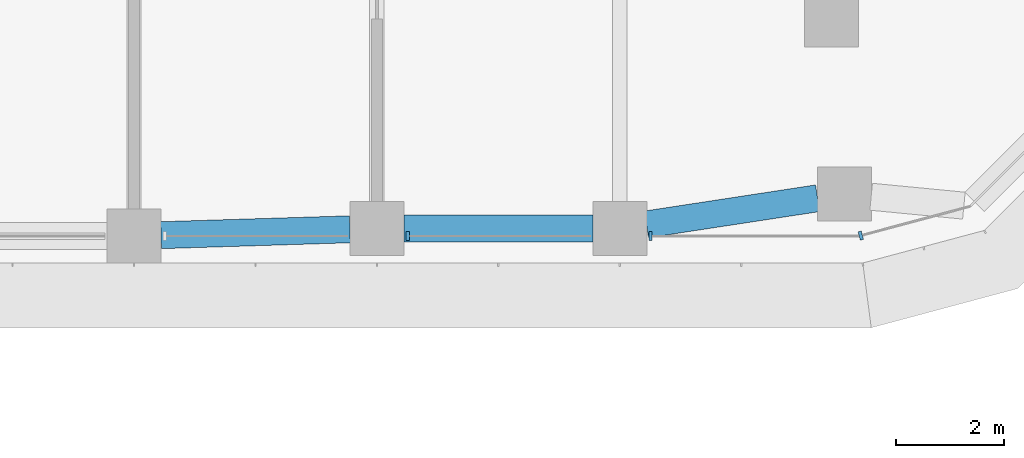
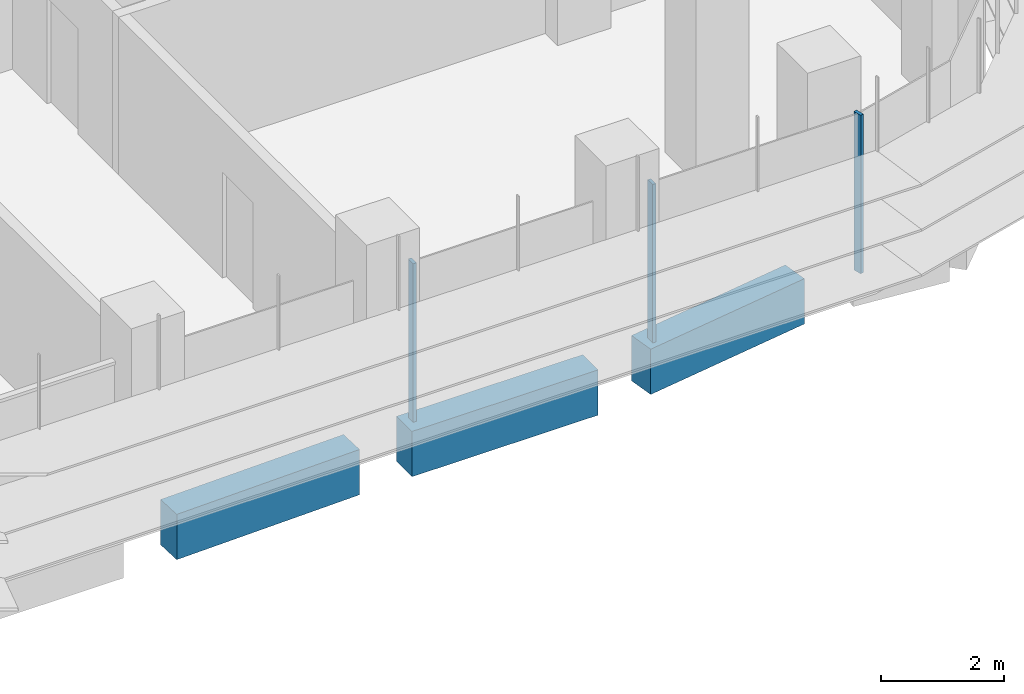
# One storey, part 5 of 23: 3 beams, 3 members, 2 elements without a shape of their own.
"""IFC4 building model written with IfcOpenShell, lengths in metres."""

from ifc_helpers import new_model, si_unit, direction, frame, origin, origin_2d, place, context, subcontext, project, spatial, polyline, rectangle, outline, extrude, source, transform, mapped, material, material_profile, profile_set, type_object, element, aggregate, save


model = new_model("IFC4")

# Units and contexts
model_context = context("Model", 3, precision=1e-05, world=origin(), true_north=direction((0.0, 1.0)))
body_context = subcontext(model_context, "Body", "Model", "MODEL_VIEW")
ifc_project = project(units=[si_unit("LENGTHUNIT", "METRE"), si_unit("AREAUNIT", "SQUARE_METRE"), si_unit("VOLUMEUNIT", "CUBIC_METRE"), si_unit("PLANEANGLEUNIT", "RADIAN"), si_unit("MASSUNIT", "GRAM", prefix="KILO")], contexts=[model_context])

# Site, building, storey
site_placement = place(None, origin())
site = spatial("IfcSite", under=ifc_project, at=site_placement, CompositionType="ELEMENT")
building_placement = place(site_placement, origin())
building = spatial("IfcBuilding", under=site, at=building_placement, Name="Zarbagh Exchange Tower", CompositionType="ELEMENT")
storey_placement = place(building_placement, frame((0.0, 0.0, 43.800048828125)))
storey = spatial("IfcBuildingStorey", under=building, at=storey_placement, Name="L09", CompositionType="ELEMENT", Elevation=43.800048828125)

# Beams
ifc_material_1 = material(Name="Concrete C60/75", Category="concrete")
ifc_material_profile = material_profile(ifc_material_1, rectangle(XDim=0.5, YDim=0.89990234375, at=origin_2d()), Name="RC spandrel beam 500 x 900 C60/75")
ifc_profile_set = profile_set([ifc_material_profile], Name="Concrete C60/75")
beam_type = type_object("IfcBeamType", Name="RC spandrel beam 500 x 900 C60/75", PredefinedType="SPANDREL", material=ifc_profile_set)
beam_1_placement = place(storey_placement, frame((28.413818359375, -5.550537109375, -0.60009765625), z_axis=(-0.988545350976, -0.150924116903, 0.0), x_axis=(0.150924116903, -0.988545350976, 0.0)))
element("IfcBeam", 1, at=beam_1_placement, inside=storey, type_object=beam_type, Name="RC spandrel beam", PredefinedType="SPANDREL", context=body_context, shape_type="SweptSolid", body=[
    extrude(rectangle(XDim=0.5, YDim=0.89990234375, at=origin_2d()), origin(), (0.0, 0.0, 1.0), 3.2060546875),
])
beam_2_placement = place(storey_placement, frame((24.25, -6.110107421875, -0.60009765625), z_axis=(-1.0, 0.0, 0.0), x_axis=(0.0, -1.0, 0.0)))
element("IfcBeam", 2, at=beam_2_placement, inside=storey, type_object=beam_type, Name="RC spandrel beam", PredefinedType="SPANDREL", context=body_context, shape_type="SweptSolid", body=[
    extrude(rectangle(XDim=0.5, YDim=0.89990234375, at=origin_2d()), origin(), (0.0, 0.0, 1.0), 3.5),
])
beam_3_placement = place(storey_placement, frame((19.750244140625, -6.12548828125, -0.60009765625), z_axis=(-0.999514385708, -0.031160756759, 0.0), x_axis=(0.031160756759, -0.999514385708, 0.0)))
element("IfcBeam", 3, at=beam_3_placement, inside=storey, type_object=beam_type, Name="RC spandrel beam", PredefinedType="SPANDREL", context=body_context, shape_type="SweptSolid", body=[
    extrude(rectangle(XDim=0.5, YDim=0.89990234375, at=origin_2d()), origin(), (0.0, 0.0, 1.0), 3.502197265625),
])

# Curtain wall, members
ifc_material_2 = material(Name="Anodised aluminium frame and glazing", Category="aluminium")
curtain_wall_type = type_object("IfcCurtainWallType", Name="CWA Ribbon glazing, lower zones", PredefinedType="NOTDEFINED", material=ifc_material_2)
curtain_wall_1_placement = place(storey_placement, origin())
curtain_wall_1 = element("IfcCurtainWall", 4, at=curtain_wall_1_placement, inside=storey, type_object=curtain_wall_type, Name="CWA08 curtain wall", PredefinedType="NOTDEFINED")
ifc_material_3 = material(Name="Anodised aluminium frame", Category="aluminium")
member_type = type_object("IfcMemberType", Name="MUA Mullion, anodised aluminium frame", PredefinedType="MULLION", material=ifc_material_3)
shared_shape = source(origin(), body_context, "Body", "SweptSolid", [
    extrude(outline(polyline([(0.0, -0.080078125), (0.06005859375, -0.080078125), (0.06005859375, 0.080078125), (0.0, 0.080078125), (0.0, -0.080078125)])), origin(), (0.0, 0.0, 1.0), 3.14990234375),
])
placement = place(storey_placement, origin())
member_1 = element("IfcMember", 5, at=placement, type_object=member_type, Name="CWA08 mullion 3.1", PredefinedType="MULLION", context=body_context, shape_type="MappedRepresentation", body=[
    mapped(shared_shape, transform((20.7900390625, -6.25, 0.0), x_axis=(1.0, 0.0, 0.0), y_axis=(0.0, 1.0, 0.0), z_axis=(0.0, 0.0, 1.0))),
])
member_2 = element("IfcMember", 6, at=placement, type_object=member_type, Name="CWA08 mullion 4.1", PredefinedType="MULLION", context=body_context, shape_type="MappedRepresentation", body=[
    mapped(shared_shape, transform((25.2900390625, -6.25, 0.0), x_axis=(1.0, 0.0, 0.0), y_axis=(0.0, 1.0, 0.0), z_axis=(0.0, 0.0, 1.0))),
])
aggregate(curtain_wall_1, [member_1, member_2])

# Curtain wall, member
curtain_wall_2_placement = place(storey_placement, origin())
curtain_wall_2 = element("IfcCurtainWall", 7, at=curtain_wall_2_placement, inside=storey, type_object=curtain_wall_type, Name="CWA09 curtain wall", PredefinedType="NOTDEFINED")
member_3 = element("IfcMember", 8, at=placement, type_object=member_type, Name="CWA09 mullion 1.1", PredefinedType="MULLION", context=body_context, shape_type="MappedRepresentation", body=[
    mapped(shared_shape, transform((29.18408203125, -6.25, 0.0), x_axis=(0.965924289636, 0.258824779902, 0.0), y_axis=(-0.258824779902, 0.965924289636, 0.0), z_axis=(0.0, 0.0, 1.0))),
])
aggregate(curtain_wall_2, [member_3])

save(model, "model.ifc")
